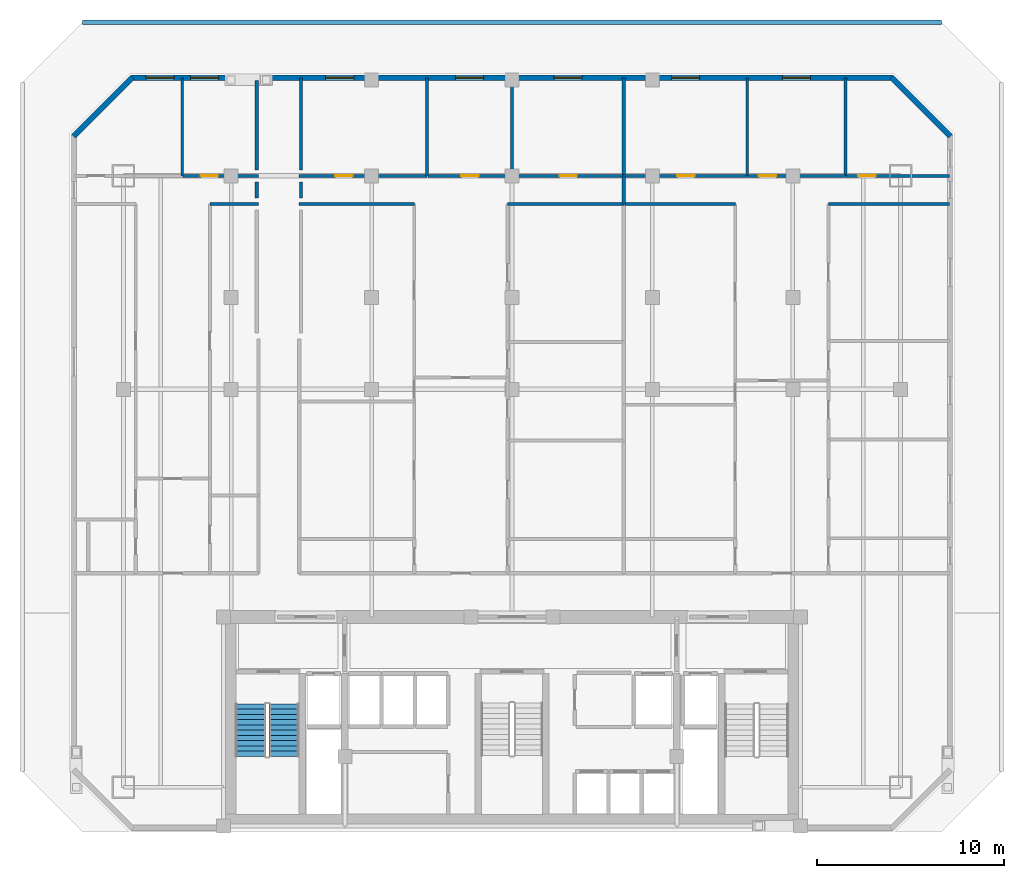
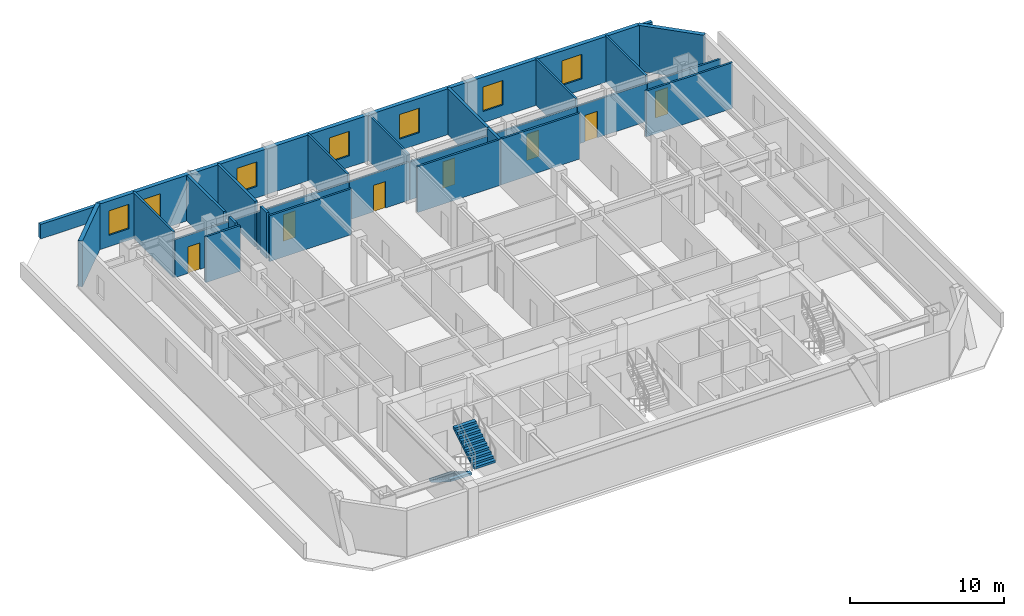
# One storey, part 6 of 8: 27 walls, 7 doors, 7 windows, 2 stair flights, 14 openings, 1 element without a shape of its own.
"""IFC4 building model written with IfcOpenShell, lengths in metres."""

from ifc_helpers import new_model, si_unit, direction, frame, frame_2d, origin, place, context, subcontext, project, spatial, polyline, rectangle, outline, extrude, material, layer, layer_set, type_object, element, fill, aggregate, save


model = new_model("IFC4")

# Units and contexts
model_context = context("Model", 3, precision=1e-05, world=origin(), true_north=direction((0.0, 1.0)))
body_context = subcontext(model_context, "Body", "Model", "MODEL_VIEW")
ifc_project = project(units=[si_unit("LENGTHUNIT", "METRE"), si_unit("AREAUNIT", "SQUARE_METRE"), si_unit("VOLUMEUNIT", "CUBIC_METRE"), si_unit("PLANEANGLEUNIT", "RADIAN"), si_unit("MASSUNIT", "GRAM", prefix="KILO")], contexts=[model_context])

# Site, building, storey
site_placement = place(None, origin())
site = spatial("IfcSite", under=ifc_project, at=site_placement, CompositionType="ELEMENT")
building_placement = place(site_placement, origin())
building = spatial("IfcBuilding", under=site, at=building_placement, Name="Ventersveld Concourse Tower", CompositionType="ELEMENT")
storey_placement = place(building_placement, frame((0.0, 0.0, 156.75)))
storey = spatial("IfcBuildingStorey", under=building, at=storey_placement, Name="L38", CompositionType="ELEMENT", Elevation=156.75)

# Walls
ifc_material_1 = material(Name="Fire-rated autoclaved aerated masonry blockwork", Category="masonry")
ifc_layer_1 = layer(ifc_material_1, 0.179931640625)
ifc_layer_set_1 = layer_set([ifc_layer_1], Name="Fire-rated autoclaved aerated masonry blockwork")
wall_type_1 = type_object("IfcWallType", Name="WL-CORR-180", PredefinedType="PARTITIONING", material=ifc_layer_set_1)
wall_1_placement = place(storey_placement, frame((15.1201171875, 34.675048828125, 0.0), z_axis=(0.0, 0.0, 1.0), x_axis=(0.0, -1.0, 0.0)))
element("IfcWall", 1, at=wall_1_placement, inside=storey, type_object=wall_type_1, Name="L38 Room Enclosure Wall SP-L38-38NW-LIV", PredefinedType="PARTITIONING", context=body_context, shape_type="SweptSolid", body=[
    extrude(rectangle(XDim=0.85009765625, YDim=0.179931640625, at=frame_2d((0.425048828125, 0.0))), origin(), (0.0, 0.0, 1.0), 3.6298828125),
])
wall_2_placement = place(storey_placement, frame((15.1201171875, 40.10205078125, 0.0), z_axis=(0.0, 0.0, 1.0), x_axis=(0.0, -1.0, 0.0)))
element("IfcWall", 2, at=wall_2_placement, inside=storey, type_object=wall_type_1, Name="L38 Room Enclosure Wall SP-L38-38NW-BR2", PredefinedType="PARTITIONING", context=body_context, shape_type="SweptSolid", body=[
    extrude(rectangle(XDim=4.777099609375, YDim=0.179931640625, at=frame_2d((2.388671875, 0.0))), origin(), (0.0, 0.0, 1.0), 3.6298828125),
])
wall_3_placement = place(storey_placement, frame((17.47998046875, 33.824951171875, 0.0), z_axis=(0.0, 0.0, 1.0), x_axis=(0.0, 1.0, 0.0)))
element("IfcWall", 3, at=wall_3_placement, inside=storey, type_object=wall_type_1, Name="L38 Room Enclosure Wall SP-L38-38N1-LIV", PredefinedType="PARTITIONING", context=body_context, shape_type="SweptSolid", body=[
    extrude(rectangle(XDim=0.85009765625, YDim=0.179931640625, at=frame_2d((0.425048828125, 0.0))), origin(), (0.0, 0.0, 1.0), 3.6298828125),
])
wall_4_placement = place(storey_placement, frame((17.47998046875, 35.324951171875, 0.0), z_axis=(0.0, 0.0, 1.0), x_axis=(0.0, 1.0, 0.0)))
element("IfcWall", 4, at=wall_4_placement, inside=storey, type_object=wall_type_1, Name="L38 Room Enclosure Wall SP-L38-38N1-BR1", PredefinedType="PARTITIONING", context=body_context, shape_type="SweptSolid", body=[
    extrude(rectangle(XDim=4.902587890625, YDim=0.179931640625, at=frame_2d((2.451171875, 0.0))), origin(), (0.0, 0.0, 1.0), 3.6298828125),
])
ifc_layer_2 = layer(ifc_material_1, 0.199951171875)
ifc_layer_set_2 = layer_set([ifc_layer_2], Name="Fire-rated autoclaved aerated masonry blockwork")
wall_type_2 = type_object("IfcWallType", Name="WL-DEMISE-200", PredefinedType="PARTITIONING", material=ifc_layer_set_2)
wall_5_placement = place(storey_placement, frame((34.719970703125, 33.4951171875, 0.0), z_axis=(0.0, 0.0, 1.0), x_axis=(0.0, 1.0, 0.0)))
element("IfcWall", 5, at=wall_5_placement, inside=storey, type_object=wall_type_2, Name="L38 Interior Partition SP-L38-38N1-LIV-SP-L38-38N2-LIV", PredefinedType="PARTITIONING", context=body_context, shape_type="SweptSolid", body=[
    extrude(rectangle(XDim=1.509765625, YDim=0.199951171875, at=frame_2d((0.7548828125, 0.0))), origin(), (0.0, 0.0, 1.0), 3.6298828125),
])
wall_6_placement = place(storey_placement, frame((34.719970703125, 35.034912109375, 0.0), z_axis=(0.0, 0.0, 1.0), x_axis=(0.0, 1.0, 0.0)))
element("IfcWall", 6, at=wall_6_placement, inside=storey, type_object=wall_type_2, Name="L38 Interior Partition SP-L38-38N1-BR3-SP-L38-38N2-BR1", PredefinedType="PARTITIONING", context=body_context, shape_type="SweptSolid", body=[
    extrude(rectangle(XDim=5.192626953125, YDim=0.199951171875, at=frame_2d((2.59619140625, 0.0))), origin(), (0.0, 0.0, 1.0), 3.6298828125),
])
ifc_material_2 = material(Name="Autoclaved aerated masonry blockwork", Category="masonry")
ifc_layer_3 = layer(ifc_material_2, 0.14990234375)
ifc_layer_set_3 = layer_set([ifc_layer_3], Name="Autoclaved aerated masonry blockwork")
wall_type_3 = type_object("IfcWallType", Name="WL-INT-150", PredefinedType="PARTITIONING", material=ifc_layer_set_3)
wall_7_placement = place(storey_placement, frame((12.61376953125, 33.5, 0.0), z_axis=(0.0, 0.0, 1.0), x_axis=(1.0, 0.0, 0.0)))
element("IfcWall", 7, at=wall_7_placement, inside=storey, type_object=wall_type_3, Name="L38 Interior Partition SP-L38-38NW-LIV-SP-L38-38NW-DENR", PredefinedType="PARTITIONING", context=body_context, shape_type="SweptSolid", body=[
    extrude(rectangle(XDim=2.601318359375, YDim=0.14990234375, at=frame_2d((1.30078125, 0.0))), origin(), (0.0, 0.0, 1.0), 3.6298828125),
])

# Wall, opening, door
wall_8_placement = place(storey_placement, frame((11.173828125, 35.0, 0.0), z_axis=(0.0, 0.0, 1.0), x_axis=(1.0, 0.0, 0.0)))
wall_8 = element("IfcWall", 8, at=wall_8_placement, inside=storey, type_object=wall_type_3, Name="L38 Interior Partition SP-L38-38NW-LIV-SP-L38-38NW-BR2", PredefinedType="PARTITIONING", context=body_context, shape_type="SweptSolid", body=[
    extrude(rectangle(XDim=4.041259765625, YDim=0.14990234375, at=frame_2d((2.0205078125, 0.0))), origin(), (0.0, 0.0, 1.0), 3.0126953125),
])
opening_1_placement = place(wall_8_placement, frame((0.954345703125, 0.0, 0.0)))
opening_1 = element("IfcOpeningElement", 9, at=opening_1_placement, cuts=wall_8, Name="Opening ID1", PredefinedType="OPENING", context=body_context, shape_type="SweptSolid", body=[
    extrude(rectangle(XDim=0.919921875, YDim=2.10009765625, at=frame_2d((0.4599609375, 1.050048828125))), frame((0.0, 0.0849609375, 0.0), z_axis=(0.0, -1.0, 0.0), x_axis=(1.0, 0.0, 0.0)), (0.0, 0.0, 1.0), 0.169921875),
])
ifc_material_3 = material(Name="Solid-core hardwood veneer timber", Category="wood")
door_type = type_object("IfcDoorType", Name="DR-ROOM-092", OperationType="NOTDEFINED", PredefinedType="DOOR", material=ifc_material_3)
door_1_placement = place(opening_1_placement, origin())
door_1 = element("IfcDoor", 10, at=door_1_placement, inside=storey, type_object=door_type, Name="L38 Interior Door SP-L38-38NW-LIV to SP-L38-38NW-BR2 (D-L38-1870)", OperationType="SINGLE_SWING_RIGHT", OverallHeight=2.10009765625, OverallWidth=0.919921875, PredefinedType="DOOR", context=body_context, shape_type="SweptSolid", body=[
    extrude(rectangle(XDim=0.919921875, YDim=2.10009765625, at=frame_2d((0.4599609375, 1.050048828125))), frame((0.0, 0.02490234375, 0.0), z_axis=(0.0, -1.0, 0.0), x_axis=(1.0, 0.0, 0.0)), (0.0, 0.0, 1.0), 0.050048828125),
])
fill(opening_1, door_1)

# Walls
wall_9_placement = place(storey_placement, frame((11.138916015625, 34.9951171875, 0.0), z_axis=(0.0, 0.0, 1.0), x_axis=(0.0, 1.0, 0.0)))
element("IfcWall", 11, at=wall_9_placement, inside=storey, type_object=wall_type_3, Name="L38 Interior Partition SP-L38-38NW-BR1-SP-L38-38NW-BR2", PredefinedType="PARTITIONING", context=body_context, shape_type="SweptSolid", body=[
    extrude(rectangle(XDim=5.232421875, YDim=0.14990234375, at=frame_2d((2.6162109375, 0.0))), origin(), (0.0, 0.0, 1.0), 3.6298828125),
])
wall_10_placement = place(storey_placement, frame((17.385009765625, 33.5, 0.0), z_axis=(0.0, 0.0, 1.0), x_axis=(1.0, 0.0, 0.0)))
element("IfcWall", 12, at=wall_10_placement, inside=storey, type_object=wall_type_3, Name="L38 Interior Partition SP-L38-38N1-LIV-SP-L38-38N1-DENL2", PredefinedType="PARTITIONING", context=body_context, shape_type="SweptSolid", body=[
    extrude(rectangle(XDim=6.149169921875, YDim=0.14990234375, at=frame_2d((3.07470703125, 0.0))), origin(), (0.0, 0.0, 1.0), 3.6298828125),
])
wall_11_placement = place(storey_placement, frame((28.50439453125, 33.5, 0.0), z_axis=(0.0, 0.0, 1.0), x_axis=(1.0, 0.0, 0.0)))
element("IfcWall", 13, at=wall_11_placement, inside=storey, type_object=wall_type_3, Name="L38 Interior Partition SP-L38-38N1-LIV-SP-L38-38N1-DENS2", PredefinedType="PARTITIONING", context=body_context, shape_type="SweptSolid", body=[
    extrude(rectangle(XDim=6.220703125, YDim=0.14990234375, at=frame_2d((3.1103515625, 0.0))), origin(), (0.0, 0.0, 1.0), 3.6298828125),
])

# Wall, opening, door
wall_12_placement = place(storey_placement, frame((17.385009765625, 35.0, 0.0), z_axis=(0.0, 0.0, 1.0), x_axis=(1.0, 0.0, 0.0)))
wall_12 = element("IfcWall", 14, at=wall_12_placement, inside=storey, type_object=wall_type_3, Name="L38 Interior Partition SP-L38-38N1-LIV-SP-L38-38N1-BR1", PredefinedType="PARTITIONING", context=body_context, shape_type="SweptSolid", body=[
    extrude(rectangle(XDim=6.8359375, YDim=0.14990234375, at=frame_2d((3.41796875, 0.0))), origin(), (0.0, 0.0, 1.0), 3.0126953125),
])
opening_2_placement = place(wall_12_placement, frame((1.9326171875, 0.0, 0.0)))
opening_2 = element("IfcOpeningElement", 15, at=opening_2_placement, cuts=wall_12, Name="Opening ID1", PredefinedType="OPENING", context=body_context, shape_type="SweptSolid", body=[
    extrude(rectangle(XDim=0.919921875, YDim=2.10009765625, at=frame_2d((0.4599609375, 1.050048828125))), frame((0.0, 0.0849609375, 0.0), z_axis=(0.0, -1.0, 0.0), x_axis=(1.0, 0.0, 0.0)), (0.0, 0.0, 1.0), 0.169921875),
])
door_2_placement = place(opening_2_placement, origin())
door_2 = element("IfcDoor", 16, at=door_2_placement, inside=storey, type_object=door_type, Name="L38 Interior Door SP-L38-38N1-LIV to SP-L38-38N1-BR1 (D-L38-1881)", OperationType="SINGLE_SWING_LEFT", OverallHeight=2.10009765625, OverallWidth=0.919921875, PredefinedType="DOOR", context=body_context, shape_type="SweptSolid", body=[
    extrude(rectangle(XDim=0.919921875, YDim=2.10009765625, at=frame_2d((0.4599609375, 1.050048828125))), frame((0.0, 0.02490234375, 0.0), z_axis=(0.0, -1.0, 0.0), x_axis=(1.0, 0.0, 0.0)), (0.0, 0.0, 1.0), 0.050048828125),
])
fill(opening_2, door_2)

wall_13_placement = place(storey_placement, frame((24.2509765625, 35.0, 0.0), z_axis=(0.0, 0.0, 1.0), x_axis=(1.0, 0.0, 0.0)))
wall_13 = element("IfcWall", 17, at=wall_13_placement, inside=storey, type_object=wall_type_3, Name="L38 Interior Partition SP-L38-38N1-LIV-SP-L38-38N1-BR2", PredefinedType="PARTITIONING", context=body_context, shape_type="SweptSolid", body=[
    extrude(rectangle(XDim=4.50390625, YDim=0.14990234375, at=frame_2d((2.251953125, 0.0))), origin(), (0.0, 0.0, 1.0), 3.0126953125),
])
opening_3_placement = place(wall_13_placement, frame((1.7919921875, 0.0, 0.0)))
opening_3 = element("IfcOpeningElement", 18, at=opening_3_placement, cuts=wall_13, Name="Opening ID1", PredefinedType="OPENING", context=body_context, shape_type="SweptSolid", body=[
    extrude(rectangle(XDim=0.919921875, YDim=2.10009765625, at=frame_2d((0.4599609375, 1.050048828125))), frame((0.0, 0.0849609375, 0.0), z_axis=(0.0, -1.0, 0.0), x_axis=(1.0, 0.0, 0.0)), (0.0, 0.0, 1.0), 0.169921875),
])
door_3_placement = place(opening_3_placement, origin())
door_3 = element("IfcDoor", 19, at=door_3_placement, inside=storey, type_object=door_type, Name="L38 Interior Door SP-L38-38N1-LIV to SP-L38-38N1-BR2 (D-L38-1882)", OperationType="SINGLE_SWING_RIGHT", OverallHeight=2.10009765625, OverallWidth=0.919921875, PredefinedType="DOOR", context=body_context, shape_type="SweptSolid", body=[
    extrude(rectangle(XDim=0.919921875, YDim=2.10009765625, at=frame_2d((0.4599609375, 1.050048828125))), frame((0.0, 0.02490234375, 0.0), z_axis=(0.0, -1.0, 0.0), x_axis=(1.0, 0.0, 0.0)), (0.0, 0.0, 1.0), 0.050048828125),
])
fill(opening_3, door_3)

wall_14_placement = place(storey_placement, frame((28.784912109375, 35.0, 0.0), z_axis=(0.0, 0.0, 1.0), x_axis=(1.0, 0.0, 0.0)))
wall_14 = element("IfcWall", 20, at=wall_14_placement, inside=storey, type_object=wall_type_3, Name="L38 Interior Partition SP-L38-38N1-LIV-SP-L38-38N1-BR3", PredefinedType="PARTITIONING", context=body_context, shape_type="SweptSolid", body=[
    extrude(rectangle(XDim=5.940185546875, YDim=0.14990234375, at=frame_2d((2.97021484375, 0.0))), origin(), (0.0, 0.0, 1.0), 3.0126953125),
])
opening_4_placement = place(wall_14_placement, frame((2.510009765625, 0.0, 0.0)))
opening_4 = element("IfcOpeningElement", 21, at=opening_4_placement, cuts=wall_14, Name="Opening ID1", PredefinedType="OPENING", context=body_context, shape_type="SweptSolid", body=[
    extrude(rectangle(XDim=0.919921875, YDim=2.10009765625, at=frame_2d((0.4599609375, 1.050048828125))), frame((0.0, 0.0849609375, 0.0), z_axis=(0.0, -1.0, 0.0), x_axis=(1.0, 0.0, 0.0)), (0.0, 0.0, 1.0), 0.169921875),
])
door_4_placement = place(opening_4_placement, origin())
door_4 = element("IfcDoor", 22, at=door_4_placement, inside=storey, type_object=door_type, Name="L38 Interior Door SP-L38-38N1-LIV to SP-L38-38N1-BR3 (D-L38-1883)", OperationType="SINGLE_SWING_LEFT", OverallHeight=2.10009765625, OverallWidth=0.919921875, PredefinedType="DOOR", context=body_context, shape_type="SweptSolid", body=[
    extrude(rectangle(XDim=0.919921875, YDim=2.10009765625, at=frame_2d((0.4599609375, 1.050048828125))), frame((0.0, 0.02490234375, 0.0), z_axis=(0.0, -1.0, 0.0), x_axis=(1.0, 0.0, 0.0)), (0.0, 0.0, 1.0), 0.050048828125),
])
fill(opening_4, door_4)

# Walls
for number, where, z_axis, x_axis, name in (
    (23, (24.216064453125, 34.9951171875, 0.0), (0.0, 0.0, 1.0), (0.0, 1.0, 0.0), "L38 Interior Partition SP-L38-38N1-BR1-SP-L38-38N1-BR2"),
    (24, (28.75, 34.9951171875, 0.0), (0.0, 0.0, 1.0), (0.0, 1.0, 0.0), "L38 Interior Partition SP-L38-38N1-BR2-SP-L38-38N1-BR3"),
):
    element("IfcWall", number, at=place(storey_placement, frame(where, z_axis=z_axis, x_axis=x_axis)), inside=storey, type_object=wall_type_3, Name=name, PredefinedType="PARTITIONING", context=body_context, shape_type="SweptSolid", body=[
        extrude(rectangle(XDim=5.232421875, YDim=0.14990234375, at=frame_2d((2.6162109375, 0.0))), origin(), (0.0, 0.0, 1.0), 3.6298828125),
    ])
wall_15_placement = place(storey_placement, frame((34.7548828125, 33.5, 0.0), z_axis=(0.0, 0.0, 1.0), x_axis=(1.0, 0.0, 0.0)))
element("IfcWall", 25, at=wall_15_placement, inside=storey, type_object=wall_type_3, Name="L38 Interior Partition SP-L38-38N2-LIV-SP-L38-38N2-DENL2", PredefinedType="PARTITIONING", context=body_context, shape_type="SweptSolid", body=[
    extrude(rectangle(XDim=5.924072265625, YDim=0.14990234375, at=frame_2d((2.9619140625, 0.0))), origin(), (0.0, 0.0, 1.0), 3.6298828125),
])
wall_16_placement = place(storey_placement, frame((45.64892578125, 33.5, 0.0), z_axis=(0.0, 0.0, 1.0), x_axis=(1.0, 0.0, 0.0)))
element("IfcWall", 26, at=wall_16_placement, inside=storey, type_object=wall_type_3, Name="L38 Interior Partition SP-L38-38N2-LIV-SP-L38-38N2-DENS2", PredefinedType="PARTITIONING", context=body_context, shape_type="SweptSolid", body=[
    extrude(rectangle(XDim=6.478515625, YDim=0.14990234375, at=frame_2d((3.2392578125, 0.0))), origin(), (0.0, 0.0, 1.0), 3.6298828125),
])

# Wall, opening, door
wall_17_placement = place(storey_placement, frame((34.7548828125, 35.0, 0.0), z_axis=(0.0, 0.0, 1.0), x_axis=(1.0, 0.0, 0.0)))
wall_17 = element("IfcWall", 27, at=wall_17_placement, inside=storey, type_object=wall_type_3, Name="L38 Interior Partition SP-L38-38N2-LIV-SP-L38-38N2-BR1", PredefinedType="PARTITIONING", context=body_context, shape_type="SweptSolid", body=[
    extrude(rectangle(XDim=6.566650390625, YDim=0.14990234375, at=frame_2d((3.283203125, 0.0))), origin(), (0.0, 0.0, 1.0), 3.0126953125),
])
opening_5_placement = place(wall_17_placement, frame((2.8232421875, 0.0, 0.0)))
opening_5 = element("IfcOpeningElement", 28, at=opening_5_placement, cuts=wall_17, Name="Opening ID1", PredefinedType="OPENING", context=body_context, shape_type="SweptSolid", body=[
    extrude(rectangle(XDim=0.919921875, YDim=2.10009765625, at=frame_2d((0.4599609375, 1.050048828125))), frame((0.0, 0.0849609375, 0.0), z_axis=(0.0, -1.0, 0.0), x_axis=(1.0, 0.0, 0.0)), (0.0, 0.0, 1.0), 0.169921875),
])
door_5_placement = place(opening_5_placement, origin())
door_5 = element("IfcDoor", 29, at=door_5_placement, inside=storey, type_object=door_type, Name="L38 Interior Door SP-L38-38N2-LIV to SP-L38-38N2-BR1 (D-L38-1894)", OperationType="SINGLE_SWING_RIGHT", OverallHeight=2.10009765625, OverallWidth=0.919921875, PredefinedType="DOOR", context=body_context, shape_type="SweptSolid", body=[
    extrude(rectangle(XDim=0.919921875, YDim=2.10009765625, at=frame_2d((0.4599609375, 1.050048828125))), frame((0.0, 0.02490234375, 0.0), z_axis=(0.0, -1.0, 0.0), x_axis=(1.0, 0.0, 0.0)), (0.0, 0.0, 1.0), 0.050048828125),
])
fill(opening_5, door_5)

wall_18_placement = place(storey_placement, frame((41.3515625, 35.0, 0.0), z_axis=(0.0, 0.0, 1.0), x_axis=(1.0, 0.0, 0.0)))
wall_18 = element("IfcWall", 30, at=wall_18_placement, inside=storey, type_object=wall_type_3, Name="L38 Interior Partition SP-L38-38N2-LIV-SP-L38-38N2-BR2", PredefinedType="PARTITIONING", context=body_context, shape_type="SweptSolid", body=[
    extrude(rectangle(XDim=5.215576171875, YDim=0.14990234375, at=frame_2d((2.60791015625, 0.0))), origin(), (0.0, 0.0, 1.0), 3.0126953125),
])
opening_6_placement = place(wall_18_placement, frame((0.5830078125, 0.0, 0.0)))
opening_6 = element("IfcOpeningElement", 31, at=opening_6_placement, cuts=wall_18, Name="Opening ID1", PredefinedType="OPENING", context=body_context, shape_type="SweptSolid", body=[
    extrude(rectangle(XDim=0.919921875, YDim=2.10009765625, at=frame_2d((0.4599609375, 1.050048828125))), frame((0.0, 0.0849609375, 0.0), z_axis=(0.0, -1.0, 0.0), x_axis=(1.0, 0.0, 0.0)), (0.0, 0.0, 1.0), 0.169921875),
])
door_6_placement = place(opening_6_placement, origin())
door_6 = element("IfcDoor", 32, at=door_6_placement, inside=storey, type_object=door_type, Name="L38 Interior Door SP-L38-38N2-LIV to SP-L38-38N2-BR2 (D-L38-1895)", OperationType="SINGLE_SWING_LEFT", OverallHeight=2.10009765625, OverallWidth=0.919921875, PredefinedType="DOOR", context=body_context, shape_type="SweptSolid", body=[
    extrude(rectangle(XDim=0.919921875, YDim=2.10009765625, at=frame_2d((0.4599609375, 1.050048828125))), frame((0.0, 0.02490234375, 0.0), z_axis=(0.0, -1.0, 0.0), x_axis=(1.0, 0.0, 0.0)), (0.0, 0.0, 1.0), 0.050048828125),
])
fill(opening_6, door_6)

wall_19_placement = place(storey_placement, frame((46.59716796875, 35.0, 0.0), z_axis=(0.0, 0.0, 1.0), x_axis=(1.0, 0.0, 0.0)))
wall_19 = element("IfcWall", 33, at=wall_19_placement, inside=storey, type_object=wall_type_3, Name="L38 Interior Partition SP-L38-38N2-LIV-SP-L38-38N2-BR3", PredefinedType="PARTITIONING", context=body_context, shape_type="SweptSolid", body=[
    extrude(rectangle(XDim=5.5302734375, YDim=0.14990234375, at=frame_2d((2.76513671875, 0.0))), origin(), (0.0, 0.0, 1.0), 3.0126953125),
])
opening_7_placement = place(wall_19_placement, frame((0.64599609375, 0.0, 0.0)))
opening_7 = element("IfcOpeningElement", 34, at=opening_7_placement, cuts=wall_19, Name="Opening ID1", PredefinedType="OPENING", context=body_context, shape_type="SweptSolid", body=[
    extrude(rectangle(XDim=0.919921875, YDim=2.10009765625, at=frame_2d((0.4599609375, 1.050048828125))), frame((0.0, 0.0849609375, 0.0), z_axis=(0.0, -1.0, 0.0), x_axis=(1.0, 0.0, 0.0)), (0.0, 0.0, 1.0), 0.169921875),
])
door_7_placement = place(opening_7_placement, origin())
door_7 = element("IfcDoor", 35, at=door_7_placement, inside=storey, type_object=door_type, Name="L38 Interior Door SP-L38-38N2-LIV to SP-L38-38N2-BR3 (D-L38-1896)", OperationType="SINGLE_SWING_RIGHT", OverallHeight=2.10009765625, OverallWidth=0.919921875, PredefinedType="DOOR", context=body_context, shape_type="SweptSolid", body=[
    extrude(rectangle(XDim=0.919921875, YDim=2.10009765625, at=frame_2d((0.4599609375, 1.050048828125))), frame((0.0, 0.02490234375, 0.0), z_axis=(0.0, -1.0, 0.0), x_axis=(1.0, 0.0, 0.0)), (0.0, 0.0, 1.0), 0.050048828125),
])
fill(opening_7, door_7)

# Walls
for number, where, z_axis, x_axis, name in (
    (36, (41.31640625, 34.9951171875, 0.0), (0.0, 0.0, 1.0), (0.0, 1.0, 0.0), "L38 Interior Partition SP-L38-38N2-BR1-SP-L38-38N2-BR2"),
    (37, (46.56201171875, 34.9951171875, 0.0), (0.0, 0.0, 1.0), (0.0, 1.0, 0.0), "L38 Interior Partition SP-L38-38N2-BR2-SP-L38-38N2-BR3"),
):
    element("IfcWall", number, at=place(storey_placement, frame(where, z_axis=z_axis, x_axis=x_axis)), inside=storey, type_object=wall_type_3, Name=name, PredefinedType="PARTITIONING", context=body_context, shape_type="SweptSolid", body=[
        extrude(rectangle(XDim=5.232421875, YDim=0.14990234375, at=frame_2d((2.6162109375, 0.0))), origin(), (0.0, 0.0, 1.0), 3.6298828125),
    ])
ifc_material_4 = material(Name="Precast concrete C45/55", Category="concrete")
ifc_layer_4 = layer(ifc_material_4, 0.25)
ifc_layer_set_4 = layer_set([ifc_layer_4], Name="Precast concrete C45/55")
wall_type_4 = type_object("IfcWallType", Name="WL-PARA-250", PredefinedType="PARAPET", material=ifc_layer_set_4)
wall_20_placement = place(storey_placement, frame((51.699951171875, 43.199951171875, 0.0), z_axis=(0.0, 0.0, 1.0), x_axis=(-1.0, 0.0, 0.0)))
element("IfcWall", 38, at=wall_20_placement, inside=storey, type_object=wall_type_4, Name="L38 Setback Roof Parapet Wall 3", PredefinedType="PARAPET", context=body_context, shape_type="SweptSolid", body=[
    extrude(rectangle(XDim=45.89990234375, YDim=0.25, at=frame_2d((22.949951171875, 0.0))), origin(), (0.0, 0.0, 1.0), 1.14990234375),
])
ifc_layer_5 = layer(ifc_material_4, 0.300048828125)
ifc_layer_set_5 = layer_set([ifc_layer_5], Name="Precast concrete C45/55")
wall_type_5 = type_object("IfcWallType", Name="WL-PREC-300", PredefinedType="SOLIDWALL", material=ifc_layer_set_5)
wall_21_placement = place(storey_placement, frame((52.16552734375, 37.122314453125, 0.0), z_axis=(0.0, 0.0, 1.0), x_axis=(-0.707106781187, 0.707106781187, 0.0)))
element("IfcWall", 39, at=wall_21_placement, inside=storey, type_object=wall_type_5, Name="L38 Highveld Precast Facade Wall E04", PredefinedType="SOLIDWALL", context=body_context, shape_type="SweptSolid", body=[
    extrude(rectangle(XDim=4.4453125, YDim=0.300048828125, at=frame_2d((2.22265625, 0.0))), origin(), (0.0, 0.0, 1.0), 3.6298828125),
])

# Wall, openings, windows
wall_22_placement = place(storey_placement, frame((49.06005859375, 40.25, 0.0), z_axis=(0.0, 0.0, 1.0), x_axis=(-1.0, 0.0, 0.0)))
wall_22 = element("IfcWall", 40, at=wall_22_placement, inside=storey, type_object=wall_type_5, Name="L38 Highveld Precast Facade Wall E05", PredefinedType="SOLIDWALL", context=body_context, shape_type="SweptSolid", body=[
    extrude(rectangle(XDim=40.6201171875, YDim=0.300048828125, at=frame_2d((20.31005859375, 0.0))), origin(), (0.0, 0.0, 1.0), 3.6298828125),
])
opening_8_placement = place(wall_22_placement, frame((38.35009765625, 0.0, 0.89990234375)))
opening_8 = element("IfcOpeningElement", 41, at=opening_8_placement, cuts=wall_22, Name="Opening W1", PredefinedType="OPENING", context=body_context, shape_type="SweptSolid", body=[
    extrude(rectangle(XDim=1.5, YDim=1.949951171875, at=frame_2d((0.75, 0.97509765625))), frame((0.0, 0.16015625, 0.0), z_axis=(0.0, -1.0, 0.0), x_axis=(1.0, 0.0, 0.0)), (0.0, 0.0, 1.0), 0.320068359375),
])
opening_9_placement = place(wall_22_placement, frame((35.97509765625, 0.0, 0.89990234375)))
opening_9 = element("IfcOpeningElement", 42, at=opening_9_placement, cuts=wall_22, Name="Opening W1", PredefinedType="OPENING", context=body_context, shape_type="SweptSolid", body=[
    extrude(rectangle(XDim=1.5, YDim=1.949951171875, at=frame_2d((0.75, 0.97509765625))), frame((0.0, 0.16015625, 0.0), z_axis=(0.0, -1.0, 0.0), x_axis=(1.0, 0.0, 0.0)), (0.0, 0.0, 1.0), 0.320068359375),
])
opening_10_placement = place(wall_22_placement, frame((28.759521484375, 0.0, 0.89990234375)))
opening_10 = element("IfcOpeningElement", 43, at=opening_10_placement, cuts=wall_22, Name="Opening W1", PredefinedType="OPENING", context=body_context, shape_type="SweptSolid", body=[
    extrude(rectangle(XDim=1.5, YDim=1.949951171875, at=frame_2d((0.75, 0.97509765625))), frame((0.0, 0.16015625, 0.0), z_axis=(0.0, -1.0, 0.0), x_axis=(1.0, 0.0, 0.0)), (0.0, 0.0, 1.0), 0.320068359375),
])
opening_11_placement = place(wall_22_placement, frame((21.826904296875, 0.0, 0.89990234375)))
opening_11 = element("IfcOpeningElement", 44, at=opening_11_placement, cuts=wall_22, Name="Opening W1", PredefinedType="OPENING", context=body_context, shape_type="SweptSolid", body=[
    extrude(rectangle(XDim=1.5, YDim=1.949951171875, at=frame_2d((0.75, 0.97509765625))), frame((0.0, 0.16015625, 0.0), z_axis=(0.0, -1.0, 0.0), x_axis=(1.0, 0.0, 0.0)), (0.0, 0.0, 1.0), 0.320068359375),
])
opening_12_placement = place(wall_22_placement, frame((16.574951171875, 0.0, 0.89990234375)))
opening_12 = element("IfcOpeningElement", 45, at=opening_12_placement, cuts=wall_22, Name="Opening W1", PredefinedType="OPENING", context=body_context, shape_type="SweptSolid", body=[
    extrude(rectangle(XDim=1.5, YDim=1.949951171875, at=frame_2d((0.75, 0.97509765625))), frame((0.0, 0.16015625, 0.0), z_axis=(0.0, -1.0, 0.0), x_axis=(1.0, 0.0, 0.0)), (0.0, 0.0, 1.0), 0.320068359375),
])
opening_13_placement = place(wall_22_placement, frame((10.291748046875, 0.0, 0.89990234375)))
opening_13 = element("IfcOpeningElement", 46, at=opening_13_placement, cuts=wall_22, Name="Opening W1", PredefinedType="OPENING", context=body_context, shape_type="SweptSolid", body=[
    extrude(rectangle(XDim=1.5, YDim=1.949951171875, at=frame_2d((0.75, 0.97509765625))), frame((0.0, 0.16015625, 0.0), z_axis=(0.0, -1.0, 0.0), x_axis=(1.0, 0.0, 0.0)), (0.0, 0.0, 1.0), 0.320068359375),
])
opening_14_placement = place(wall_22_placement, frame((4.37060546875, 0.0, 0.89990234375)))
opening_14 = element("IfcOpeningElement", 47, at=opening_14_placement, cuts=wall_22, Name="Opening W1", PredefinedType="OPENING", context=body_context, shape_type="SweptSolid", body=[
    extrude(rectangle(XDim=1.5, YDim=1.949951171875, at=frame_2d((0.75, 0.97509765625))), frame((0.0, 0.16015625, 0.0), z_axis=(0.0, -1.0, 0.0), x_axis=(1.0, 0.0, 0.0)), (0.0, 0.0, 1.0), 0.320068359375),
])
ifc_material_5 = material(Name="Tempered acoustic Low-E IGU", Category="glass")
window_type = type_object("IfcWindowType", Name="WIN-150x210", PartitioningType="SINGLE_PANEL", PredefinedType="WINDOW", material=ifc_material_5)
window_1_placement = place(opening_8_placement, origin())
window_1 = element("IfcWindow", 48, at=window_1_placement, inside=storey, type_object=window_type, Name="L38 Punched Low-E Window W-0504", OverallHeight=1.949951171875, OverallWidth=1.5, PartitioningType="SINGLE_PANEL", PredefinedType="WINDOW", context=body_context, shape_type="SweptSolid", body=[
    extrude(rectangle(XDim=1.5, YDim=1.949951171875, at=frame_2d((0.75, 0.97509765625))), frame((0.0, 0.030029296875, 0.0), z_axis=(0.0, -1.0, 0.0), x_axis=(1.0, 0.0, 0.0)), (0.0, 0.0, 1.0), 0.06005859375),
])
fill(opening_8, window_1)
window_2_placement = place(opening_9_placement, origin())
window_2 = element("IfcWindow", 49, at=window_2_placement, inside=storey, type_object=window_type, Name="L38 Punched Low-E Window W-0505", OverallHeight=1.949951171875, OverallWidth=1.5, PartitioningType="SINGLE_PANEL", PredefinedType="WINDOW", context=body_context, shape_type="SweptSolid", body=[
    extrude(rectangle(XDim=1.5, YDim=1.949951171875, at=frame_2d((0.75, 0.97509765625))), frame((0.0, 0.030029296875, 0.0), z_axis=(0.0, -1.0, 0.0), x_axis=(1.0, 0.0, 0.0)), (0.0, 0.0, 1.0), 0.06005859375),
])
fill(opening_9, window_2)
window_3_placement = place(opening_10_placement, origin())
window_3 = element("IfcWindow", 50, at=window_3_placement, inside=storey, type_object=window_type, Name="L38 Punched Low-E Window W-0506", OverallHeight=1.949951171875, OverallWidth=1.5, PartitioningType="SINGLE_PANEL", PredefinedType="WINDOW", context=body_context, shape_type="SweptSolid", body=[
    extrude(rectangle(XDim=1.5, YDim=1.949951171875, at=frame_2d((0.75, 0.97509765625))), frame((0.0, 0.030029296875, 0.0), z_axis=(0.0, -1.0, 0.0), x_axis=(1.0, 0.0, 0.0)), (0.0, 0.0, 1.0), 0.06005859375),
])
fill(opening_10, window_3)
window_4_placement = place(opening_11_placement, origin())
window_4 = element("IfcWindow", 51, at=window_4_placement, inside=storey, type_object=window_type, Name="L38 Punched Low-E Window W-0507", OverallHeight=1.949951171875, OverallWidth=1.5, PartitioningType="SINGLE_PANEL", PredefinedType="WINDOW", context=body_context, shape_type="SweptSolid", body=[
    extrude(rectangle(XDim=1.5, YDim=1.949951171875, at=frame_2d((0.75, 0.97509765625))), frame((0.0, 0.030029296875, 0.0), z_axis=(0.0, -1.0, 0.0), x_axis=(1.0, 0.0, 0.0)), (0.0, 0.0, 1.0), 0.06005859375),
])
fill(opening_11, window_4)
window_5_placement = place(opening_12_placement, origin())
window_5 = element("IfcWindow", 52, at=window_5_placement, inside=storey, type_object=window_type, Name="L38 Punched Low-E Window W-0508", OverallHeight=1.949951171875, OverallWidth=1.5, PartitioningType="SINGLE_PANEL", PredefinedType="WINDOW", context=body_context, shape_type="SweptSolid", body=[
    extrude(rectangle(XDim=1.5, YDim=1.949951171875, at=frame_2d((0.75, 0.97509765625))), frame((0.0, 0.030029296875, 0.0), z_axis=(0.0, -1.0, 0.0), x_axis=(1.0, 0.0, 0.0)), (0.0, 0.0, 1.0), 0.06005859375),
])
fill(opening_12, window_5)
window_6_placement = place(opening_13_placement, origin())
window_6 = element("IfcWindow", 53, at=window_6_placement, inside=storey, type_object=window_type, Name="L38 Punched Low-E Window W-0514", OverallHeight=1.949951171875, OverallWidth=1.5, PartitioningType="SINGLE_PANEL", PredefinedType="WINDOW", context=body_context, shape_type="SweptSolid", body=[
    extrude(rectangle(XDim=1.5, YDim=1.949951171875, at=frame_2d((0.75, 0.97509765625))), frame((0.0, 0.030029296875, 0.0), z_axis=(0.0, -1.0, 0.0), x_axis=(1.0, 0.0, 0.0)), (0.0, 0.0, 1.0), 0.06005859375),
])
fill(opening_13, window_6)
window_7_placement = place(opening_14_placement, origin())
window_7 = element("IfcWindow", 54, at=window_7_placement, inside=storey, type_object=window_type, Name="L38 Punched Low-E Window W-0515", OverallHeight=1.949951171875, OverallWidth=1.5, PartitioningType="SINGLE_PANEL", PredefinedType="WINDOW", context=body_context, shape_type="SweptSolid", body=[
    extrude(rectangle(XDim=1.5, YDim=1.949951171875, at=frame_2d((0.75, 0.97509765625))), frame((0.0, 0.030029296875, 0.0), z_axis=(0.0, -1.0, 0.0), x_axis=(1.0, 0.0, 0.0)), (0.0, 0.0, 1.0), 0.06005859375),
])
fill(opening_14, window_7)

# Wall
wall_23_placement = place(storey_placement, frame((8.477783203125, 40.265625, 0.0), z_axis=(0.0, 0.0, 1.0), x_axis=(-0.707106781187, -0.707106781187, 0.0)))
element("IfcWall", 55, at=wall_23_placement, inside=storey, type_object=wall_type_5, Name="L38 Highveld Precast Facade Wall E06", PredefinedType="SOLIDWALL", context=body_context, shape_type="SweptSolid", body=[
    extrude(rectangle(XDim=4.4453125, YDim=0.300048828125, at=frame_2d((2.22265625, 0.0))), origin(), (0.0, 0.0, 1.0), 3.6298828125),
])

# Stair, stair flights
ifc_material_6 = material(Name="Concrete C50/60", Category="concrete")
stair_type = type_object("IfcStairType", Name="ST-DOG-160", PredefinedType="HALF_TURN_STAIR", material=ifc_material_6)
stair_placement = place(storey_placement, origin())
stair = element("IfcStair", 56, at=stair_placement, inside=storey, type_object=stair_type, Name="L38 Protected Tower Escape Stair ST-01", PredefinedType="HALF_TURN_STAIR")
stair_flight_type = type_object("IfcStairFlightType", Name="STF-RC-160", PredefinedType="STRAIGHT", material=ifc_material_6)
stair_flight_1_placement = place(storey_placement, frame((14.780029296875, 6.800048828125, 0.0), z_axis=(0.0, 0.0, 1.0), x_axis=(0.0, -1.0, 0.0)))
stair_flight_1 = element("IfcStairFlight", 57, at=stair_flight_1_placement, type_object=stair_flight_type, Name="ST-01 flight 1", NumberOfRisers=11, NumberOfTreads=10, PredefinedType="STRAIGHT", RiserHeight=0.175, TreadLength=0.28, context=body_context, shape_type="SweptSolid", body=[
    extrude(outline(polyline([(0.0, 0.0), (0.0, 0.175048828125), (0.280029296875, 0.175048828125), (0.280029296875, 0.35009765625), (0.56005859375, 0.35009765625), (0.56005859375, 0.52490234375), (0.840087890625, 0.52490234375), (0.840087890625, 0.699951171875), (1.1201171875, 0.699951171875), (1.1201171875, 0.875), (1.39990234375, 0.875), (1.39990234375, 1.050048828125), (1.679931640625, 1.050048828125), (1.679931640625, 1.22509765625), (1.9599609375, 1.22509765625), (1.9599609375, 1.39990234375), (2.239990234375, 1.39990234375), (2.239990234375, 1.574951171875), (2.52001953125, 1.574951171875), (2.52001953125, 1.75), (2.800048828125, 1.75), (2.800048828125, 1.925048828125), (2.800048828125, 1.5732421875), (0.28271484375, 0.0), (0.0, 0.0)])), frame((0.0, 0.800048828125, 0.0), z_axis=(0.0, -1.0, 0.0), x_axis=(1.0, 0.0, 0.0)), (0.0, 0.0, 1.0), 1.60009765625),
])
stair_flight_2_placement = place(storey_placement, frame((16.580078125, 4.0, 1.925048828125), z_axis=(0.0, 0.0, 1.0), x_axis=(0.0, 1.0, 0.0)))
stair_flight_2 = element("IfcStairFlight", 58, at=stair_flight_2_placement, type_object=stair_flight_type, Name="ST-01 flight 2", NumberOfRisers=11, NumberOfTreads=10, PredefinedType="STRAIGHT", RiserHeight=0.175, TreadLength=0.28, context=body_context, shape_type="SweptSolid", body=[
    extrude(outline(polyline([(0.0, 0.0), (0.0, 0.175048828125), (0.280029296875, 0.175048828125), (0.280029296875, 0.35009765625), (0.56005859375, 0.35009765625), (0.56005859375, 0.52490234375), (0.840087890625, 0.52490234375), (0.840087890625, 0.699951171875), (1.1201171875, 0.699951171875), (1.1201171875, 0.875), (1.39990234375, 0.875), (1.39990234375, 1.050048828125), (1.679931640625, 1.050048828125), (1.679931640625, 1.22509765625), (1.9599609375, 1.22509765625), (1.9599609375, 1.39990234375), (2.239990234375, 1.39990234375), (2.239990234375, 1.574951171875), (2.52001953125, 1.574951171875), (2.52001953125, 1.75), (2.800048828125, 1.75), (2.800048828125, 1.925048828125), (2.800048828125, 1.5732421875), (0.28271484375, 0.0), (0.0, 0.0)])), frame((0.0, 0.800048828125, 0.0), z_axis=(0.0, -1.0, 0.0), x_axis=(1.0, 0.0, 0.0)), (0.0, 0.0, 1.0), 1.60009765625),
])
aggregate(stair, [stair_flight_1, stair_flight_2])

save(model, "model.ifc")
